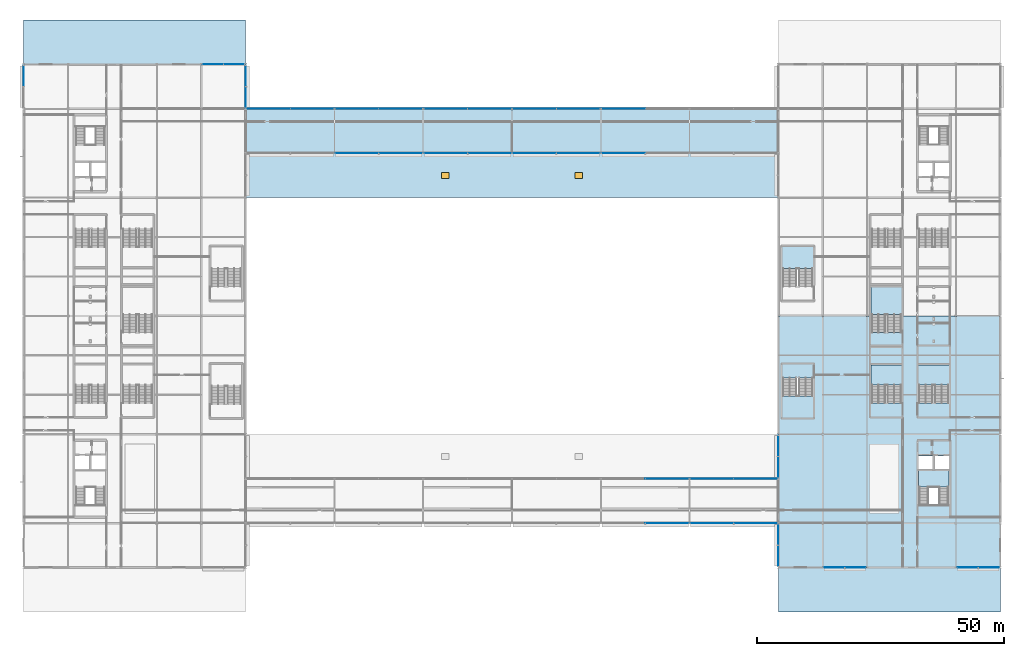
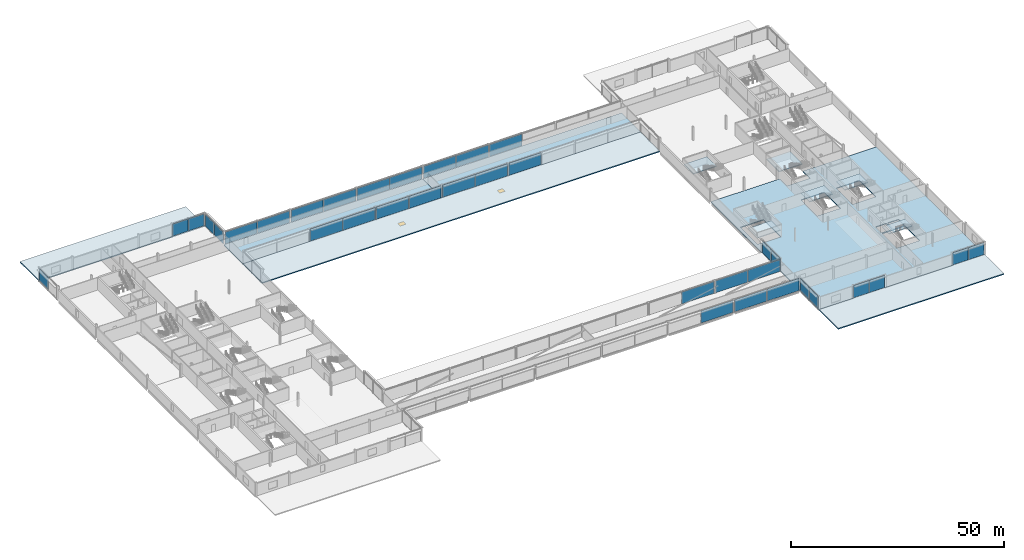
# One storey, part 58 of 105: 35 plates, 12 slabs, 2 windows, 2 openings, 26 elements without a shape of their own.
"""IFC4 building model written with IfcOpenShell, lengths in metres."""

from ifc_helpers import new_model, si_unit, direction, frame, origin, origin_2d, place, context, subcontext, project, spatial, polyline, rectangle, outline, extrude, material, layer, layer_set, type_object, element, fill, aggregate, save


model = new_model("IFC4")

# Units and contexts
model_context = context("Model", 3, precision=1e-05, world=origin(), true_north=direction((0.0, 1.0)))
body_context = subcontext(model_context, "Body", "Model", "MODEL_VIEW")
ifc_project = project(units=[si_unit("LENGTHUNIT", "METRE"), si_unit("AREAUNIT", "SQUARE_METRE"), si_unit("VOLUMEUNIT", "CUBIC_METRE"), si_unit("PLANEANGLEUNIT", "RADIAN"), si_unit("MASSUNIT", "GRAM", prefix="KILO")], contexts=[model_context])

# Site, building, storey
site_placement = place(None, origin())
site = spatial("IfcSite", under=ifc_project, at=site_placement, CompositionType="ELEMENT")
building_placement = place(site_placement, origin())
building = spatial("IfcBuilding", under=site, at=building_placement, Name="Kisiwana Market Hall", CompositionType="ELEMENT")
storey_placement = place(building_placement, frame((0.0, 0.0, 21.60009765625)))
storey = spatial("IfcBuildingStorey", under=building, at=storey_placement, Name="L04", CompositionType="ELEMENT", Elevation=21.60009765625)

# Curtain wall, plates
ifc_material_1 = material(Name="Double-glazed solar-control low-E IGU", Category="glass")
ifc_layer_1 = layer(ifc_material_1, 0.159912109375)
ifc_layer_set_1 = layer_set([ifc_layer_1], Name="CW-ZNA-EW-8200")
curtain_wall_type = type_object("IfcCurtainWallType", Name="CW-ZNA-EW-8200", PredefinedType="USERDEFINED", material=ifc_layer_set_1)
curtain_wall_1_placement = place(storey_placement, origin())
curtain_wall_1 = element("IfcCurtainWall", 1, at=curtain_wall_1_placement, inside=storey, type_object=curtain_wall_type, Name="Unitised curtain wall CW-091 (L04)", ObjectType="UNITISED CURTAIN WALL", PredefinedType="USERDEFINED")
ifc_material_2 = material(Name="Double-glazed solar-control low-E IGU", Category="glass")
ifc_layer_2 = layer(ifc_material_2, 0.02392578125)
ifc_layer_set_2 = layer_set([ifc_layer_2], Name="PL-IGU-24")
plate_type_1 = type_object("IfcPlateType", Name="PL-IGU-24", PredefinedType="CURTAIN_PANEL", material=ifc_layer_set_2)
plate_1_placement = place(storey_placement, frame((191.366455078125, 9.0, 0.06005859375), z_axis=(0.0, 0.0, 1.0), x_axis=(1.0, 0.0, 0.0)))
plate_1 = element("IfcPlate", 2, at=plate_1_placement, type_object=plate_type_1, Name="CW-091 panel 1.1", PredefinedType="CURTAIN_PANEL", context=body_context, shape_type="SweptSolid", body=[
    extrude(rectangle(XDim=4.21826171875, YDim=0.02392578125, at=origin_2d()), origin(), (0.0, 0.0, 1.0), 3.465087890625),
])
plate_2_placement = place(storey_placement, frame((195.64453125, 9.0, 0.06005859375), z_axis=(0.0, 0.0, 1.0), x_axis=(1.0, 0.0, 0.0)))
plate_2 = element("IfcPlate", 3, at=plate_2_placement, type_object=plate_type_1, Name="CW-091 panel 2.1", PredefinedType="CURTAIN_PANEL", context=body_context, shape_type="SweptSolid", body=[
    extrude(rectangle(XDim=4.21826171875, YDim=0.02392578125, at=origin_2d()), origin(), (0.0, 0.0, 1.0), 3.465087890625),
])
aggregate(curtain_wall_1, [plate_1, plate_2])

curtain_wall_2_placement = place(storey_placement, origin())
curtain_wall_2 = element("IfcCurtainWall", 4, at=curtain_wall_2_placement, inside=storey, type_object=curtain_wall_type, Name="Unitised curtain wall CW-097 (L04)", ObjectType="UNITISED CURTAIN WALL", PredefinedType="USERDEFINED")
plate_3_placement = place(storey_placement, frame((139.562255859375, 18.0, 0.06005859375), z_axis=(0.0, 0.0, 1.0), x_axis=(1.0, 0.0, 0.0)))
plate_3 = element("IfcPlate", 5, at=plate_3_placement, type_object=plate_type_1, Name="CW-097 panel 1.1", PredefinedType="CURTAIN_PANEL", context=body_context, shape_type="SweptSolid", body=[
    extrude(rectangle(XDim=8.75439453125, YDim=0.02392578125, at=origin_2d()), origin(), (0.0, 0.0, 1.0), 3.465087890625),
])
plate_4_placement = place(storey_placement, frame((148.37646484375, 18.0, 0.06005859375), z_axis=(0.0, 0.0, 1.0), x_axis=(1.0, 0.0, 0.0)))
plate_4 = element("IfcPlate", 6, at=plate_4_placement, type_object=plate_type_1, Name="CW-097 panel 2.1", PredefinedType="CURTAIN_PANEL", context=body_context, shape_type="SweptSolid", body=[
    extrude(rectangle(XDim=8.75439453125, YDim=0.02392578125, at=origin_2d()), origin(), (0.0, 0.0, 1.0), 3.465087890625),
])
aggregate(curtain_wall_2, [plate_3, plate_4])

curtain_wall_3_placement = place(storey_placement, origin())
curtain_wall_3 = element("IfcCurtainWall", 7, at=curtain_wall_3_placement, inside=storey, type_object=curtain_wall_type, Name="Unitised curtain wall CW-103 (L04)", ObjectType="UNITISED CURTAIN WALL", PredefinedType="USERDEFINED")
plate_5_placement = place(storey_placement, frame((139.562255859375, 27.0, 0.06005859375), z_axis=(0.0, 0.0, 1.0), x_axis=(1.0, 0.0, 0.0)))
plate_5 = element("IfcPlate", 8, at=plate_5_placement, type_object=plate_type_1, Name="CW-103 panel 1.1", PredefinedType="CURTAIN_PANEL", context=body_context, shape_type="SweptSolid", body=[
    extrude(rectangle(XDim=8.75439453125, YDim=0.02392578125, at=origin_2d()), origin(), (0.0, 0.0, 1.0), 3.465087890625),
])
plate_6_placement = place(storey_placement, frame((148.37646484375, 27.0, 0.06005859375), z_axis=(0.0, 0.0, 1.0), x_axis=(1.0, 0.0, 0.0)))
plate_6 = element("IfcPlate", 9, at=plate_6_placement, type_object=plate_type_1, Name="CW-103 panel 2.1", PredefinedType="CURTAIN_PANEL", context=body_context, shape_type="SweptSolid", body=[
    extrude(rectangle(XDim=8.75439453125, YDim=0.02392578125, at=origin_2d()), origin(), (0.0, 0.0, 1.0), 3.465087890625),
])
aggregate(curtain_wall_3, [plate_5, plate_6])

curtain_wall_4_placement = place(storey_placement, origin())
curtain_wall_4 = element("IfcCurtainWall", 10, at=curtain_wall_4_placement, inside=storey, type_object=curtain_wall_type, Name="Unitised curtain wall CW-105 (L04)", ObjectType="UNITISED CURTAIN WALL", PredefinedType="USERDEFINED")
plate_7_placement = place(storey_placement, frame((67.577392578125, 93.0, 0.06005859375), z_axis=(0.0, 0.0, 1.0), x_axis=(1.0, 0.0, 0.0)))
plate_7 = element("IfcPlate", 11, at=plate_7_placement, type_object=plate_type_1, Name="CW-105 panel 1.1", PredefinedType="CURTAIN_PANEL", context=body_context, shape_type="SweptSolid", body=[
    extrude(rectangle(XDim=8.784912109375, YDim=0.02392578125, at=origin_2d()), origin(), (0.0, 0.0, 1.0), 3.465087890625),
])
plate_8_placement = place(storey_placement, frame((76.422607421875, 93.0, 0.06005859375), z_axis=(0.0, 0.0, 1.0), x_axis=(1.0, 0.0, 0.0)))
plate_8 = element("IfcPlate", 12, at=plate_8_placement, type_object=plate_type_1, Name="CW-105 panel 2.1", PredefinedType="CURTAIN_PANEL", context=body_context, shape_type="SweptSolid", body=[
    extrude(rectangle(XDim=8.784912109375, YDim=0.02392578125, at=origin_2d()), origin(), (0.0, 0.0, 1.0), 3.465087890625),
])
aggregate(curtain_wall_4, [plate_7, plate_8])

curtain_wall_5_placement = place(storey_placement, origin())
curtain_wall_5 = element("IfcCurtainWall", 13, at=curtain_wall_5_placement, inside=storey, type_object=curtain_wall_type, Name="Unitised curtain wall CW-107 (L04)", ObjectType="UNITISED CURTAIN WALL", PredefinedType="USERDEFINED")
plate_9_placement = place(storey_placement, frame((103.577392578125, 93.0, 0.06005859375), z_axis=(0.0, 0.0, 1.0), x_axis=(1.0, 0.0, 0.0)))
plate_9 = element("IfcPlate", 14, at=plate_9_placement, type_object=plate_type_1, Name="CW-107 panel 1.1", PredefinedType="CURTAIN_PANEL", context=body_context, shape_type="SweptSolid", body=[
    extrude(rectangle(XDim=8.784912109375, YDim=0.02392578125, at=origin_2d()), origin(), (0.0, 0.0, 1.0), 3.465087890625),
])
plate_10_placement = place(storey_placement, frame((112.422607421875, 93.0, 0.06005859375), z_axis=(0.0, 0.0, 1.0), x_axis=(1.0, 0.0, 0.0)))
plate_10 = element("IfcPlate", 15, at=plate_10_placement, type_object=plate_type_1, Name="CW-107 panel 2.1", PredefinedType="CURTAIN_PANEL", context=body_context, shape_type="SweptSolid", body=[
    extrude(rectangle(XDim=8.784912109375, YDim=0.02392578125, at=origin_2d()), origin(), (0.0, 0.0, 1.0), 3.465087890625),
])
aggregate(curtain_wall_5, [plate_9, plate_10])

curtain_wall_6_placement = place(storey_placement, origin())
curtain_wall_6 = element("IfcCurtainWall", 16, at=curtain_wall_6_placement, inside=storey, type_object=curtain_wall_type, Name="Unitised curtain wall CW-111 (L04)", ObjectType="UNITISED CURTAIN WALL", PredefinedType="USERDEFINED")
plate_11_placement = place(storey_placement, frame((67.577392578125, 102.0, 0.06005859375), z_axis=(0.0, 0.0, 1.0), x_axis=(1.0, 0.0, 0.0)))
plate_11 = element("IfcPlate", 17, at=plate_11_placement, type_object=plate_type_1, Name="CW-111 panel 1.1", PredefinedType="CURTAIN_PANEL", context=body_context, shape_type="SweptSolid", body=[
    extrude(rectangle(XDim=8.784912109375, YDim=0.02392578125, at=origin_2d()), origin(), (0.0, 0.0, 1.0), 3.465087890625),
])
plate_12_placement = place(storey_placement, frame((76.422607421875, 102.0, 0.06005859375), z_axis=(0.0, 0.0, 1.0), x_axis=(1.0, 0.0, 0.0)))
plate_12 = element("IfcPlate", 18, at=plate_12_placement, type_object=plate_type_1, Name="CW-111 panel 2.1", PredefinedType="CURTAIN_PANEL", context=body_context, shape_type="SweptSolid", body=[
    extrude(rectangle(XDim=8.784912109375, YDim=0.02392578125, at=origin_2d()), origin(), (0.0, 0.0, 1.0), 3.465087890625),
])
aggregate(curtain_wall_6, [plate_11, plate_12])

curtain_wall_7_placement = place(storey_placement, origin())
curtain_wall_7 = element("IfcCurtainWall", 19, at=curtain_wall_7_placement, inside=storey, type_object=curtain_wall_type, Name="Unitised curtain wall CW-113 (L04)", ObjectType="UNITISED CURTAIN WALL", PredefinedType="USERDEFINED")
plate_13_placement = place(storey_placement, frame((103.577392578125, 102.0, 0.06005859375), z_axis=(0.0, 0.0, 1.0), x_axis=(1.0, 0.0, 0.0)))
plate_13 = element("IfcPlate", 20, at=plate_13_placement, type_object=plate_type_1, Name="CW-113 panel 1.1", PredefinedType="CURTAIN_PANEL", context=body_context, shape_type="SweptSolid", body=[
    extrude(rectangle(XDim=8.784912109375, YDim=0.02392578125, at=origin_2d()), origin(), (0.0, 0.0, 1.0), 3.465087890625),
])
plate_14_placement = place(storey_placement, frame((112.422607421875, 102.0, 0.06005859375), z_axis=(0.0, 0.0, 1.0), x_axis=(1.0, 0.0, 0.0)))
plate_14 = element("IfcPlate", 21, at=plate_14_placement, type_object=plate_type_1, Name="CW-113 panel 2.1", PredefinedType="CURTAIN_PANEL", context=body_context, shape_type="SweptSolid", body=[
    extrude(rectangle(XDim=8.784912109375, YDim=0.02392578125, at=origin_2d()), origin(), (0.0, 0.0, 1.0), 3.465087890625),
])
aggregate(curtain_wall_7, [plate_13, plate_14])

# Curtain wall, plate
curtain_wall_8_placement = place(storey_placement, origin())
curtain_wall_8 = element("IfcCurtainWall", 22, at=curtain_wall_8_placement, inside=storey, type_object=curtain_wall_type, Name="Unitised curtain wall CW-119 (L04)", ObjectType="UNITISED CURTAIN WALL", PredefinedType="USERDEFINED")
plate_15_placement = place(storey_placement, frame((0.0, 108.64306640625, 0.06005859375), z_axis=(0.0, 0.0, 1.0), x_axis=(0.0, 1.0, 0.0)))
plate_15 = element("IfcPlate", 23, at=plate_15_placement, type_object=plate_type_1, Name="CW-119 panel 2.1", PredefinedType="CURTAIN_PANEL", context=body_context, shape_type="SweptSolid", body=[
    extrude(rectangle(XDim=4.225830078125, YDim=0.02392578125, at=origin_2d()), origin(), (0.0, 0.0, 1.0), 3.465087890625),
])
aggregate(curtain_wall_8, [plate_15])

# Curtain wall, plates
curtain_wall_9_placement = place(storey_placement, origin())
curtain_wall_9 = element("IfcCurtainWall", 24, at=curtain_wall_9_placement, inside=storey, type_object=curtain_wall_type, Name="Unitised curtain wall CW-123 (L04)", ObjectType="UNITISED CURTAIN WALL", PredefinedType="USERDEFINED")
plate_16_placement = place(storey_placement, frame((45.0, 104.35693359375, 0.06005859375), z_axis=(0.0, 0.0, 1.0), x_axis=(0.0, 1.0, 0.0)))
plate_16 = element("IfcPlate", 25, at=plate_16_placement, type_object=plate_type_1, Name="CW-123 panel 1.1", PredefinedType="CURTAIN_PANEL", context=body_context, shape_type="SweptSolid", body=[
    extrude(rectangle(XDim=4.225830078125, YDim=0.02392578125, at=origin_2d()), origin(), (0.0, 0.0, 1.0), 3.465087890625),
])
plate_17_placement = place(storey_placement, frame((45.0, 108.64306640625, 0.06005859375), z_axis=(0.0, 0.0, 1.0), x_axis=(0.0, 1.0, 0.0)))
plate_17 = element("IfcPlate", 26, at=plate_17_placement, type_object=plate_type_1, Name="CW-123 panel 2.1", PredefinedType="CURTAIN_PANEL", context=body_context, shape_type="SweptSolid", body=[
    extrude(rectangle(XDim=4.225830078125, YDim=0.02392578125, at=origin_2d()), origin(), (0.0, 0.0, 1.0), 3.465087890625),
])
aggregate(curtain_wall_9, [plate_16, plate_17])

curtain_wall_10_placement = place(storey_placement, origin())
curtain_wall_10 = element("IfcCurtainWall", 27, at=curtain_wall_10_placement, inside=storey, type_object=curtain_wall_type, Name="Unitised curtain wall CW-125 (L04)", ObjectType="UNITISED CURTAIN WALL", PredefinedType="USERDEFINED")
plate_18_placement = place(storey_placement, frame((153.0, 29.35693359375, 0.06005859375), z_axis=(0.0, 0.0, 1.0), x_axis=(0.0, 1.0, 0.0)))
plate_18 = element("IfcPlate", 28, at=plate_18_placement, type_object=plate_type_1, Name="CW-125 panel 1.1", PredefinedType="CURTAIN_PANEL", context=body_context, shape_type="SweptSolid", body=[
    extrude(rectangle(XDim=4.225830078125, YDim=0.02392578125, at=origin_2d()), origin(), (0.0, 0.0, 1.0), 3.465087890625),
])
plate_19_placement = place(storey_placement, frame((153.0, 33.64306640625, 0.06005859375), z_axis=(0.0, 0.0, 1.0), x_axis=(0.0, 1.0, 0.0)))
plate_19 = element("IfcPlate", 29, at=plate_19_placement, type_object=plate_type_1, Name="CW-125 panel 2.1", PredefinedType="CURTAIN_PANEL", context=body_context, shape_type="SweptSolid", body=[
    extrude(rectangle(XDim=4.225830078125, YDim=0.02392578125, at=origin_2d()), origin(), (0.0, 0.0, 1.0), 3.465087890625),
])
aggregate(curtain_wall_10, [plate_18, plate_19])

curtain_wall_11_placement = place(storey_placement, origin())
curtain_wall_11 = element("IfcCurtainWall", 30, at=curtain_wall_11_placement, inside=storey, type_object=curtain_wall_type, Name="Unitised curtain wall CW-090 (L04)", ObjectType="UNITISED CURTAIN WALL", PredefinedType="USERDEFINED")
ifc_material_3 = material(Name="Double-glazed acoustic laminated IGU", Category="glass")
ifc_layer_3 = layer(ifc_material_3, 0.028076171875)
ifc_layer_set_3 = layer_set([ifc_layer_3], Name="PL-IGU-28")
plate_type_2 = type_object("IfcPlateType", Name="PL-IGU-28", PredefinedType="CURTAIN_PANEL", material=ifc_layer_set_3)
plate_20_placement = place(storey_placement, frame((164.35546875, 9.0, 0.06005859375), z_axis=(0.0, 0.0, 1.0), x_axis=(1.0, 0.0, 0.0)))
plate_20 = element("IfcPlate", 31, at=plate_20_placement, type_object=plate_type_2, Name="CW-090 panel 1.1", PredefinedType="CURTAIN_PANEL", context=body_context, shape_type="SweptSolid", body=[
    extrude(rectangle(XDim=4.21826171875, YDim=0.028076171875, at=origin_2d()), origin(), (0.0, 0.0, 1.0), 3.465087890625),
])
plate_21_placement = place(storey_placement, frame((168.633544921875, 9.0, 0.06005859375), z_axis=(0.0, 0.0, 1.0), x_axis=(1.0, 0.0, 0.0)))
plate_21 = element("IfcPlate", 32, at=plate_21_placement, type_object=plate_type_2, Name="CW-090 panel 2.1", PredefinedType="CURTAIN_PANEL", context=body_context, shape_type="SweptSolid", body=[
    extrude(rectangle(XDim=4.21826171875, YDim=0.028076171875, at=origin_2d()), origin(), (0.0, 0.0, 1.0), 3.465087890625),
])
aggregate(curtain_wall_11, [plate_20, plate_21])

# Curtain wall, plate
curtain_wall_12_placement = place(storey_placement, origin())
curtain_wall_12 = element("IfcCurtainWall", 33, at=curtain_wall_12_placement, inside=storey, type_object=curtain_wall_type, Name="Unitised curtain wall CW-096 (L04)", ObjectType="UNITISED CURTAIN WALL", PredefinedType="USERDEFINED")
plate_22_placement = place(storey_placement, frame((130.422607421875, 18.0, 0.06005859375), z_axis=(0.0, 0.0, 1.0), x_axis=(1.0, 0.0, 0.0)))
plate_22 = element("IfcPlate", 34, at=plate_22_placement, type_object=plate_type_2, Name="CW-096 panel 2.1", PredefinedType="CURTAIN_PANEL", context=body_context, shape_type="SweptSolid", body=[
    extrude(rectangle(XDim=8.784912109375, YDim=0.028076171875, at=origin_2d()), origin(), (0.0, 0.0, 1.0), 3.465087890625),
])
aggregate(curtain_wall_12, [plate_22])

curtain_wall_13_placement = place(storey_placement, origin())
curtain_wall_13 = element("IfcCurtainWall", 35, at=curtain_wall_13_placement, inside=storey, type_object=curtain_wall_type, Name="Unitised curtain wall CW-102 (L04)", ObjectType="UNITISED CURTAIN WALL", PredefinedType="USERDEFINED")
plate_23_placement = place(storey_placement, frame((130.422607421875, 27.0, 0.06005859375), z_axis=(0.0, 0.0, 1.0), x_axis=(1.0, 0.0, 0.0)))
plate_23 = element("IfcPlate", 36, at=plate_23_placement, type_object=plate_type_2, Name="CW-102 panel 2.1", PredefinedType="CURTAIN_PANEL", context=body_context, shape_type="SweptSolid", body=[
    extrude(rectangle(XDim=8.784912109375, YDim=0.028076171875, at=origin_2d()), origin(), (0.0, 0.0, 1.0), 3.465087890625),
])
aggregate(curtain_wall_13, [plate_23])

# Curtain wall, plates
curtain_wall_14_placement = place(storey_placement, origin())
curtain_wall_14 = element("IfcCurtainWall", 37, at=curtain_wall_14_placement, inside=storey, type_object=curtain_wall_type, Name="Unitised curtain wall CW-106 (L04)", ObjectType="UNITISED CURTAIN WALL", PredefinedType="USERDEFINED")
plate_24_placement = place(storey_placement, frame((85.577392578125, 93.0, 0.06005859375), z_axis=(0.0, 0.0, 1.0), x_axis=(1.0, 0.0, 0.0)))
plate_24 = element("IfcPlate", 38, at=plate_24_placement, type_object=plate_type_2, Name="CW-106 panel 1.1", PredefinedType="CURTAIN_PANEL", context=body_context, shape_type="SweptSolid", body=[
    extrude(rectangle(XDim=8.784912109375, YDim=0.028076171875, at=origin_2d()), origin(), (0.0, 0.0, 1.0), 3.465087890625),
])
plate_25_placement = place(storey_placement, frame((94.422607421875, 93.0, 0.06005859375), z_axis=(0.0, 0.0, 1.0), x_axis=(1.0, 0.0, 0.0)))
plate_25 = element("IfcPlate", 39, at=plate_25_placement, type_object=plate_type_2, Name="CW-106 panel 2.1", PredefinedType="CURTAIN_PANEL", context=body_context, shape_type="SweptSolid", body=[
    extrude(rectangle(XDim=8.784912109375, YDim=0.028076171875, at=origin_2d()), origin(), (0.0, 0.0, 1.0), 3.465087890625),
])
aggregate(curtain_wall_14, [plate_24, plate_25])

# Curtain wall, plate
curtain_wall_15_placement = place(storey_placement, origin())
curtain_wall_15 = element("IfcCurtainWall", 40, at=curtain_wall_15_placement, inside=storey, type_object=curtain_wall_type, Name="Unitised curtain wall CW-108 (L04)", ObjectType="UNITISED CURTAIN WALL", PredefinedType="USERDEFINED")
plate_26_placement = place(storey_placement, frame((121.577392578125, 93.0, 0.06005859375), z_axis=(0.0, 0.0, 1.0), x_axis=(1.0, 0.0, 0.0)))
plate_26 = element("IfcPlate", 41, at=plate_26_placement, type_object=plate_type_2, Name="CW-108 panel 1.1", PredefinedType="CURTAIN_PANEL", context=body_context, shape_type="SweptSolid", body=[
    extrude(rectangle(XDim=8.784912109375, YDim=0.028076171875, at=origin_2d()), origin(), (0.0, 0.0, 1.0), 3.465087890625),
])
aggregate(curtain_wall_15, [plate_26])

# Curtain wall, plates
curtain_wall_16_placement = place(storey_placement, origin())
curtain_wall_16 = element("IfcCurtainWall", 42, at=curtain_wall_16_placement, inside=storey, type_object=curtain_wall_type, Name="Unitised curtain wall CW-110 (L04)", ObjectType="UNITISED CURTAIN WALL", PredefinedType="USERDEFINED")
plate_27_placement = place(storey_placement, frame((49.62353515625, 102.0, 0.06005859375), z_axis=(0.0, 0.0, 1.0), x_axis=(1.0, 0.0, 0.0)))
plate_27 = element("IfcPlate", 43, at=plate_27_placement, type_object=plate_type_2, Name="CW-110 panel 1.1", PredefinedType="CURTAIN_PANEL", context=body_context, shape_type="SweptSolid", body=[
    extrude(rectangle(XDim=8.75439453125, YDim=0.028076171875, at=origin_2d()), origin(), (0.0, 0.0, 1.0), 3.465087890625),
])
plate_28_placement = place(storey_placement, frame((58.437744140625, 102.0, 0.06005859375), z_axis=(0.0, 0.0, 1.0), x_axis=(1.0, 0.0, 0.0)))
plate_28 = element("IfcPlate", 44, at=plate_28_placement, type_object=plate_type_2, Name="CW-110 panel 2.1", PredefinedType="CURTAIN_PANEL", context=body_context, shape_type="SweptSolid", body=[
    extrude(rectangle(XDim=8.75439453125, YDim=0.028076171875, at=origin_2d()), origin(), (0.0, 0.0, 1.0), 3.465087890625),
])
aggregate(curtain_wall_16, [plate_27, plate_28])

curtain_wall_17_placement = place(storey_placement, origin())
curtain_wall_17 = element("IfcCurtainWall", 45, at=curtain_wall_17_placement, inside=storey, type_object=curtain_wall_type, Name="Unitised curtain wall CW-112 (L04)", ObjectType="UNITISED CURTAIN WALL", PredefinedType="USERDEFINED")
plate_29_placement = place(storey_placement, frame((85.577392578125, 102.0, 0.06005859375), z_axis=(0.0, 0.0, 1.0), x_axis=(1.0, 0.0, 0.0)))
plate_29 = element("IfcPlate", 46, at=plate_29_placement, type_object=plate_type_2, Name="CW-112 panel 1.1", PredefinedType="CURTAIN_PANEL", context=body_context, shape_type="SweptSolid", body=[
    extrude(rectangle(XDim=8.784912109375, YDim=0.028076171875, at=origin_2d()), origin(), (0.0, 0.0, 1.0), 3.465087890625),
])
plate_30_placement = place(storey_placement, frame((94.422607421875, 102.0, 0.06005859375), z_axis=(0.0, 0.0, 1.0), x_axis=(1.0, 0.0, 0.0)))
plate_30 = element("IfcPlate", 47, at=plate_30_placement, type_object=plate_type_2, Name="CW-112 panel 2.1", PredefinedType="CURTAIN_PANEL", context=body_context, shape_type="SweptSolid", body=[
    extrude(rectangle(XDim=8.784912109375, YDim=0.028076171875, at=origin_2d()), origin(), (0.0, 0.0, 1.0), 3.465087890625),
])
aggregate(curtain_wall_17, [plate_29, plate_30])

# Curtain wall, plate
curtain_wall_18_placement = place(storey_placement, origin())
curtain_wall_18 = element("IfcCurtainWall", 48, at=curtain_wall_18_placement, inside=storey, type_object=curtain_wall_type, Name="Unitised curtain wall CW-114 (L04)", ObjectType="UNITISED CURTAIN WALL", PredefinedType="USERDEFINED")
plate_31_placement = place(storey_placement, frame((121.577392578125, 102.0, 0.06005859375), z_axis=(0.0, 0.0, 1.0), x_axis=(1.0, 0.0, 0.0)))
plate_31 = element("IfcPlate", 49, at=plate_31_placement, type_object=plate_type_2, Name="CW-114 panel 1.1", PredefinedType="CURTAIN_PANEL", context=body_context, shape_type="SweptSolid", body=[
    extrude(rectangle(XDim=8.784912109375, YDim=0.028076171875, at=origin_2d()), origin(), (0.0, 0.0, 1.0), 3.465087890625),
])
aggregate(curtain_wall_18, [plate_31])

# Curtain wall, plates
curtain_wall_19_placement = place(storey_placement, origin())
curtain_wall_19 = element("IfcCurtainWall", 50, at=curtain_wall_19_placement, inside=storey, type_object=curtain_wall_type, Name="Unitised curtain wall CW-116 (L04)", ObjectType="UNITISED CURTAIN WALL", PredefinedType="USERDEFINED")
plate_32_placement = place(storey_placement, frame((38.358154296875, 111.0, 0.06005859375), z_axis=(0.0, 0.0, 1.0), x_axis=(1.0, 0.0, 0.0)))
plate_32 = element("IfcPlate", 51, at=plate_32_placement, type_object=plate_type_2, Name="CW-116 panel 1.1", PredefinedType="CURTAIN_PANEL", context=body_context, shape_type="SweptSolid", body=[
    extrude(rectangle(XDim=4.2236328125, YDim=0.028076171875, at=origin_2d()), origin(), (0.0, 0.0, 1.0), 3.465087890625),
])
plate_33_placement = place(storey_placement, frame((42.641845703125, 111.0, 0.06005859375), z_axis=(0.0, 0.0, 1.0), x_axis=(1.0, 0.0, 0.0)))
plate_33 = element("IfcPlate", 52, at=plate_33_placement, type_object=plate_type_2, Name="CW-116 panel 2.1", PredefinedType="CURTAIN_PANEL", context=body_context, shape_type="SweptSolid", body=[
    extrude(rectangle(XDim=4.2236328125, YDim=0.028076171875, at=origin_2d()), origin(), (0.0, 0.0, 1.0), 3.465087890625),
])
aggregate(curtain_wall_19, [plate_32, plate_33])

curtain_wall_20_placement = place(storey_placement, origin())
curtain_wall_20 = element("IfcCurtainWall", 53, at=curtain_wall_20_placement, inside=storey, type_object=curtain_wall_type, Name="Unitised curtain wall CW-124 (L04)", ObjectType="UNITISED CURTAIN WALL", PredefinedType="USERDEFINED")
plate_34_placement = place(storey_placement, frame((153.0, 11.35693359375, 0.06005859375), z_axis=(0.0, 0.0, 1.0), x_axis=(0.0, 1.0, 0.0)))
plate_34 = element("IfcPlate", 54, at=plate_34_placement, type_object=plate_type_2, Name="CW-124 panel 1.1", PredefinedType="CURTAIN_PANEL", context=body_context, shape_type="SweptSolid", body=[
    extrude(rectangle(XDim=4.225830078125, YDim=0.028076171875, at=origin_2d()), origin(), (0.0, 0.0, 1.0), 3.465087890625),
])
plate_35_placement = place(storey_placement, frame((153.0, 15.64306640625, 0.06005859375), z_axis=(0.0, 0.0, 1.0), x_axis=(0.0, 1.0, 0.0)))
plate_35 = element("IfcPlate", 55, at=plate_35_placement, type_object=plate_type_2, Name="CW-124 panel 2.1", PredefinedType="CURTAIN_PANEL", context=body_context, shape_type="SweptSolid", body=[
    extrude(rectangle(XDim=4.225830078125, YDim=0.028076171875, at=origin_2d()), origin(), (0.0, 0.0, 1.0), 3.465087890625),
])
aggregate(curtain_wall_20, [plate_34, plate_35])

# Stair, slab
ifc_material_4 = material(Name="Concrete C32/40", Category="concrete")
stair_type_1 = type_object("IfcStairType", Name="ST-TWR-3900", PredefinedType="TWO_STRAIGHT_RUN_STAIR", material=ifc_material_4)
stair_1_placement = place(storey_placement, origin())
stair_1 = element("IfcStair", 56, at=stair_1_placement, inside=storey, type_object=stair_type_1, Name="Escape stair ST-E2-L04", PredefinedType="TWO_STRAIGHT_RUN_STAIR")
ifc_material_5 = material(Name="Concrete C32/40", Category="concrete")
ifc_layer_4 = layer(ifc_material_5, 0.239990234375)
ifc_layer_set_4 = layer_set([ifc_layer_4], Name="SL-LANDING-160")
slab_type_1 = type_object("IfcSlabType", Name="SL-LANDING-160", PredefinedType="LANDING", material=ifc_layer_set_4)
slab_1_placement = place(storey_placement, frame((0.0, 0.0, 1.7099609375)))
slab_1 = element("IfcSlab", 57, at=slab_1_placement, type_object=slab_type_1, Name="ST-E2-L04 landing 1 S-234", PredefinedType="LANDING", context=body_context, shape_type="SweptSolid", body=[
    extrude(outline(polyline([(181.3798828125, 25.30908203125), (187.6201171875, 25.30908203125), (187.6201171875, 28.6201171875), (181.3798828125, 28.6201171875), (181.3798828125, 25.30908203125)])), origin(), (0.0, 0.0, 1.0), 0.239990234375),
])
aggregate(stair_1, [slab_1])

ifc_material_6 = material(Name="Concrete C32/40", Category="concrete")
stair_type_2 = type_object("IfcStairType", Name="ST-ESC-3900", PredefinedType="TWO_STRAIGHT_RUN_STAIR", material=ifc_material_6)
stair_2_placement = place(storey_placement, origin())
stair_2 = element("IfcStair", 58, at=stair_2_placement, inside=storey, type_object=stair_type_2, Name="Escape stair ST-E3-L04", PredefinedType="TWO_STRAIGHT_RUN_STAIR")
slab_2_placement = place(storey_placement, frame((0.0, 0.0, 1.7099609375)))
slab_2 = element("IfcSlab", 59, at=slab_2_placement, type_object=slab_type_1, Name="ST-E3-L04 landing 1 S-235", PredefinedType="LANDING", context=body_context, shape_type="SweptSolid", body=[
    extrude(outline(polyline([(181.340087890625, 46.01953125), (187.659912109375, 46.01953125), (187.659912109375, 50.06005859375), (181.340087890625, 50.06005859375), (181.340087890625, 46.01953125)])), origin(), (0.0, 0.0, 1.0), 0.239990234375),
])
aggregate(stair_2, [slab_2])

stair_3_placement = place(storey_placement, origin())
stair_3 = element("IfcStair", 60, at=stair_3_placement, inside=storey, type_object=stair_type_2, Name="Escape stair ST-E7-L04", PredefinedType="TWO_STRAIGHT_RUN_STAIR")
slab_3_placement = place(storey_placement, frame((0.0, 0.0, 1.7099609375)))
slab_3 = element("IfcSlab", 61, at=slab_3_placement, type_object=slab_type_1, Name="ST-E7-L04 landing 1 S-238", PredefinedType="LANDING", context=body_context, shape_type="SweptSolid", body=[
    extrude(outline(polyline([(171.739990234375, 46.01953125), (178.06005859375, 46.01953125), (178.06005859375, 50.06005859375), (171.739990234375, 50.06005859375), (171.739990234375, 46.01953125)])), origin(), (0.0, 0.0, 1.0), 0.239990234375),
])
aggregate(stair_3, [slab_3])

stair_4_placement = place(storey_placement, origin())
stair_4 = element("IfcStair", 62, at=stair_4_placement, inside=storey, type_object=stair_type_2, Name="Escape stair ST-E9-L04", PredefinedType="TWO_STRAIGHT_RUN_STAIR")
slab_4_placement = place(storey_placement, frame((0.0, 0.0, 1.7099609375)))
slab_4 = element("IfcSlab", 63, at=slab_4_placement, type_object=slab_type_1, Name="ST-E9-L04 landing 1 S-240", PredefinedType="LANDING", context=body_context, shape_type="SweptSolid", body=[
    extrude(outline(polyline([(153.77001953125, 39.340087890625), (160.090087890625, 39.340087890625), (160.090087890625, 43.780517578125), (153.77001953125, 43.780517578125), (153.77001953125, 39.340087890625)])), origin(), (0.0, 0.0, 1.0), 0.239990234375),
])
aggregate(stair_4, [slab_4])

stair_5_placement = place(storey_placement, origin())
stair_5 = element("IfcStair", 64, at=stair_5_placement, inside=storey, type_object=stair_type_2, Name="Escape stair ST-E10-L04", PredefinedType="TWO_STRAIGHT_RUN_STAIR")
slab_5_placement = place(storey_placement, frame((0.0, 0.0, 1.7099609375)))
slab_5 = element("IfcSlab", 65, at=slab_5_placement, type_object=slab_type_1, Name="ST-E10-L04 landing 1 S-233", PredefinedType="LANDING", context=body_context, shape_type="SweptSolid", body=[
    extrude(outline(polyline([(153.77001953125, 69.619384765625), (160.090087890625, 69.619384765625), (160.090087890625, 74.06005859375), (153.77001953125, 74.06005859375), (153.77001953125, 69.619384765625)])), origin(), (0.0, 0.0, 1.0), 0.239990234375),
])
aggregate(stair_5, [slab_5])

stair_6_placement = place(storey_placement, origin())
stair_6 = element("IfcStair", 66, at=stair_6_placement, inside=storey, type_object=stair_type_2, Name="Escape stair ST-E5-L04", PredefinedType="TWO_STRAIGHT_RUN_STAIR")
slab_6_placement = place(storey_placement, frame((0.0, 0.0, 1.7099609375)))
slab_6 = element("IfcSlab", 67, at=slab_6_placement, type_object=slab_type_1, Name="ST-E5-L04 landing 1 S-237", PredefinedType="LANDING", context=body_context, shape_type="SweptSolid", body=[
    extrude(outline(polyline([(171.739990234375, 60.299560546875), (178.06005859375, 60.299560546875), (178.06005859375, 66.179931640625), (171.739990234375, 66.179931640625), (171.739990234375, 60.299560546875)])), origin(), (0.0, 0.0, 1.0), 0.239990234375),
])
aggregate(stair_6, [slab_6])

# Slabs
ifc_material_7 = material(Name="Concrete C32/40", Category="concrete")
ifc_layer_5 = layer(ifc_material_7, 0.2451171875)
ifc_layer_set_5 = layer_set([ifc_layer_5], Name="SL-OFF-175")
slab_type_2 = type_object("IfcSlabType", Name="SL-OFF-175", PredefinedType="FLOOR", material=ifc_layer_set_5)
slab_7_placement = place(storey_placement, frame((0.0, 0.0, -0.2451171875)))
element("IfcSlab", 68, at=slab_7_placement, inside=storey, type_object=slab_type_2, Name="Structural slab S-226", PredefinedType="FLOOR", context=body_context, shape_type="SweptSolid", body=[
    extrude(outline(polyline([(153.0, 9.0), (198.0, 9.0), (198.0, 60.0), (178.0400390625, 60.0), (178.0400390625, 56.659912109375), (171.760009765625, 56.659912109375), (171.760009765625, 60.0), (153.0, 60.0), (153.0, 9.0)]), holes=[polyline([(181.39990234375, 21.64990234375), (187.60009765625, 21.64990234375), (187.60009765625, 28.60009765625), (181.39990234375, 28.60009765625), (181.39990234375, 21.64990234375)]), polyline([(181.39990234375, 28.919921875), (184.340087890625, 28.919921875), (184.340087890625, 31.64990234375), (181.39990234375, 31.64990234375), (181.39990234375, 28.919921875)]), polyline([(184.659912109375, 28.919921875), (187.60009765625, 28.919921875), (187.60009765625, 31.64990234375), (184.659912109375, 31.64990234375), (184.659912109375, 28.919921875)]), polyline([(181.360107421875, 42.3798828125), (187.639892578125, 42.3798828125), (187.639892578125, 50.0400390625), (181.360107421875, 50.0400390625), (181.360107421875, 42.3798828125)]), polyline([(171.760009765625, 42.3798828125), (178.0400390625, 42.3798828125), (178.0400390625, 50.0400390625), (171.760009765625, 50.0400390625), (171.760009765625, 42.3798828125)]), polyline([(153.7900390625, 39.360107421875), (160.070068359375, 39.360107421875), (160.070068359375, 47.419921875), (153.7900390625, 47.419921875), (153.7900390625, 39.360107421875)])]), origin(), (0.0, 0.0, 1.0), 0.2451171875),
])
ifc_material_8 = material(Name="Concrete C32/40", Category="concrete")
ifc_layer_6 = layer(ifc_material_8, 0.2919921875)
ifc_layer_set_6 = layer_set([ifc_layer_6], Name="SL-POD-ROOF-210")
slab_type_3 = type_object("IfcSlabType", Name="SL-POD-ROOF-210", PredefinedType="ROOF", material=ifc_layer_set_6)
slab_8_placement = place(storey_placement, frame((0.0, 0.0, -0.2919921875)))
element("IfcSlab", 69, at=slab_8_placement, inside=storey, type_object=slab_type_3, Name="Structural roof slab S-222", PredefinedType="ROOF", context=body_context, shape_type="SweptSolid", body=[
    extrude(outline(polyline([(0.0, 111.0), (45.0, 111.0), (45.0, 120.0), (0.0, 120.0), (0.0, 111.0)])), origin(), (0.0, 0.0, 1.0), 0.2919921875),
])
slab_9_placement = place(storey_placement, frame((0.0, 0.0, -0.2919921875)))
element("IfcSlab", 70, at=slab_9_placement, inside=storey, type_object=slab_type_3, Name="Structural roof slab S-219", PredefinedType="ROOF", context=body_context, shape_type="SweptSolid", body=[
    extrude(outline(polyline([(153.0, 0.0), (198.0, 0.0), (198.0, 9.0), (153.0, 9.0), (153.0, 0.0)])), origin(), (0.0, 0.0, 1.0), 0.2919921875),
])

# Slab, openings, windows
slab_10_placement = place(storey_placement, frame((0.0, 0.0, -0.2919921875)))
slab_10 = element("IfcSlab", 71, at=slab_10_placement, inside=storey, type_object=slab_type_3, Name="Structural roof slab S-220", PredefinedType="ROOF", context=body_context, shape_type="SweptSolid", body=[
    extrude(outline(polyline([(45.0, 84.0), (153.0, 84.0), (153.0, 93.0), (45.0, 93.0), (45.0, 84.0)])), origin(), (0.0, 0.0, 1.0), 0.2919921875),
])
opening_1_placement = place(slab_10_placement, frame((85.5, 88.5, 0.0)))
opening_1 = element("IfcOpeningElement", 72, at=opening_1_placement, cuts=slab_10, Name="Opening WN-18", PredefinedType="OPENING", context=body_context, shape_type="SweptSolid", body=[
    extrude(rectangle(XDim=1.5, YDim=1.199951171875, at=origin_2d()), origin(), (0.0, 0.0, 1.0), 0.2919921875),
])
opening_2_placement = place(slab_10_placement, frame((112.5, 88.5, 0.0)))
opening_2 = element("IfcOpeningElement", 73, at=opening_2_placement, cuts=slab_10, Name="Opening WN-18", PredefinedType="OPENING", context=body_context, shape_type="SweptSolid", body=[
    extrude(rectangle(XDim=1.5, YDim=1.199951171875, at=origin_2d()), origin(), (0.0, 0.0, 1.0), 0.2919921875),
])
ifc_material_9 = material(Name="Double-glazed solar-control low-E IGU", Category="glass")
window_type = type_object("IfcWindowType", Name="WN-HATCH-1500x1200", PartitioningType="SINGLE_PANEL", PredefinedType="SKYLIGHT", material=ifc_material_9)
window_1_placement = place(opening_1_placement, frame((0.0, 0.0, 0.241943359375)))
window_1 = element("IfcWindow", 74, at=window_1_placement, inside=storey, type_object=window_type, Name="Flat-roof skylight hatch WN-157", OverallHeight=1.199951171875, OverallWidth=1.5, PartitioningType="SINGLE_PANEL", PredefinedType="SKYLIGHT", context=body_context, shape_type="SweptSolid", body=[
    extrude(rectangle(XDim=1.5, YDim=1.199951171875, at=origin_2d()), origin(), (0.0, 0.0, 1.0), 0.050048828125),
])
fill(opening_1, window_1)
window_2_placement = place(opening_2_placement, frame((0.0, 0.0, 0.241943359375)))
window_2 = element("IfcWindow", 75, at=window_2_placement, inside=storey, type_object=window_type, Name="Flat-roof skylight hatch WN-158", OverallHeight=1.199951171875, OverallWidth=1.5, PartitioningType="SINGLE_PANEL", PredefinedType="SKYLIGHT", context=body_context, shape_type="SweptSolid", body=[
    extrude(rectangle(XDim=1.5, YDim=1.199951171875, at=origin_2d()), origin(), (0.0, 0.0, 1.0), 0.050048828125),
])
fill(opening_2, window_2)

# Slabs
ifc_material_10 = material(Name="Concrete C32/40", Category="concrete")
ifc_layer_7 = layer(ifc_material_10, 0.264892578125)
ifc_layer_set_7 = layer_set([ifc_layer_7], Name="SL-SKYBR-190")
slab_type_4 = type_object("IfcSlabType", Name="SL-SKYBR-190", PredefinedType="FLOOR", material=ifc_layer_set_7)
slab_11_placement = place(storey_placement, frame((0.0, 0.0, -0.26513671875)))
element("IfcSlab", 76, at=slab_11_placement, inside=storey, type_object=slab_type_4, Name="Structural slab S-230", PredefinedType="FLOOR", context=body_context, shape_type="SweptSolid", body=[
    extrude(outline(polyline([(45.0, 93.0), (99.0, 93.0), (99.0, 102.0), (45.0, 102.0), (45.0, 93.0)])), origin(), (0.0, 0.0, 1.0), 0.26513671875),
])
slab_12_placement = place(storey_placement, frame((0.0, 0.0, -0.26513671875)))
element("IfcSlab", 77, at=slab_12_placement, inside=storey, type_object=slab_type_4, Name="Structural slab S-231", PredefinedType="FLOOR", context=body_context, shape_type="SweptSolid", body=[
    extrude(outline(polyline([(99.0, 93.0), (153.0, 93.0), (153.0, 102.0), (99.0, 102.0), (99.0, 93.0)])), origin(), (0.0, 0.0, 1.0), 0.26513671875),
])

save(model, "model.ifc")
